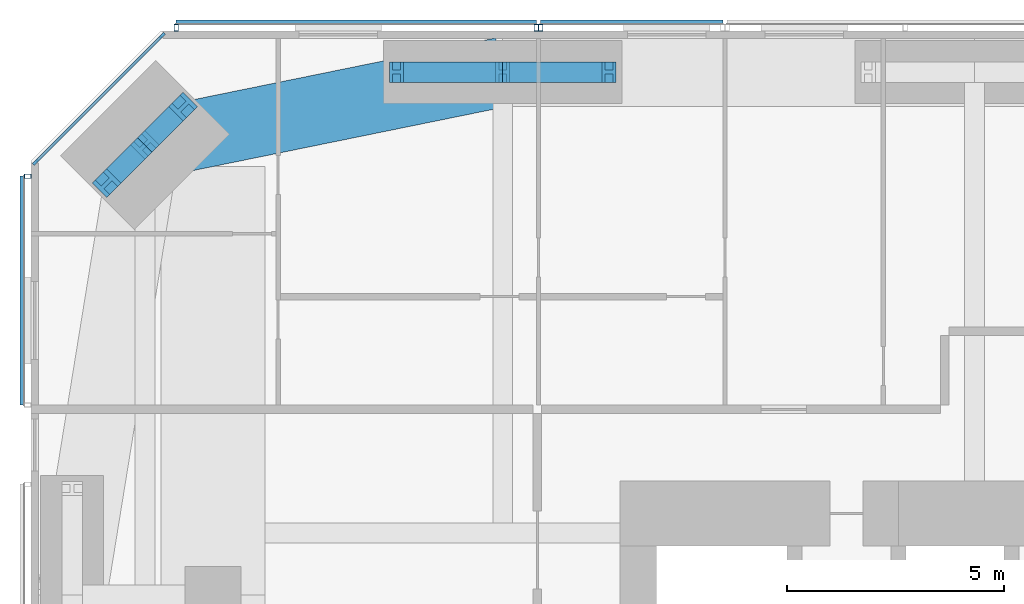
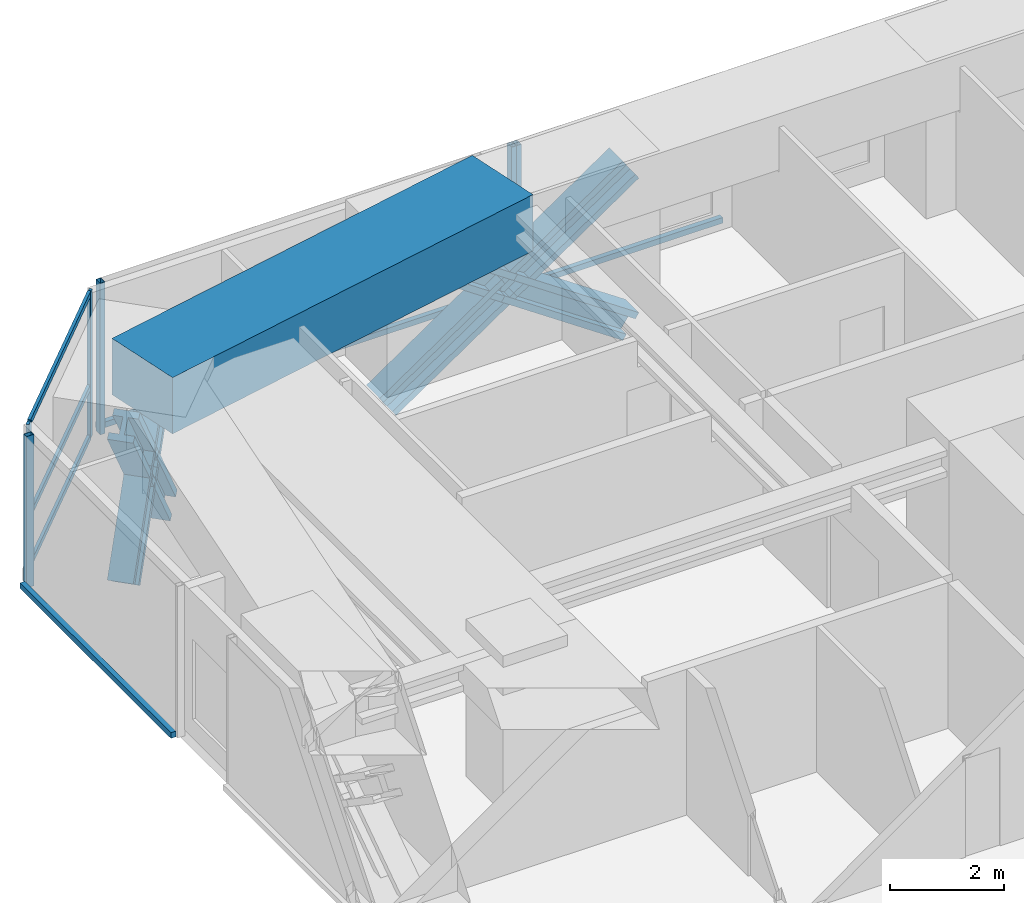
# One storey, part 11 of 23: 20 members, 1 beam, 4 elements without a shape of their own.
"""IFC4 building model written with IfcOpenShell, lengths in metres."""

from ifc_helpers import new_model, si_unit, direction, frame, origin, origin_2d, place, context, subcontext, project, spatial, rectangle, hollow_rectangle, i_section, extrude, material, material_profile, profile_set, type_object, element, aggregate, save


model = new_model("IFC4")

# Units and contexts
model_context = context("Model", 3, precision=1e-05, world=origin(), true_north=direction((0.0, 1.0)))
body_context = subcontext(model_context, "Body", "Model", "MODEL_VIEW")
ifc_project = project(units=[si_unit("LENGTHUNIT", "METRE"), si_unit("AREAUNIT", "SQUARE_METRE"), si_unit("VOLUMEUNIT", "CUBIC_METRE"), si_unit("PLANEANGLEUNIT", "RADIAN"), si_unit("MASSUNIT", "GRAM", prefix="KILO")], contexts=[model_context])

# Site, building, storey
site_placement = place(None, origin())
site = spatial("IfcSite", under=ifc_project, at=site_placement, CompositionType="ELEMENT")
building_placement = place(site_placement, origin())
building = spatial("IfcBuilding", under=site, at=building_placement, Name="Jalousie Tower", CompositionType="ELEMENT")
storey_placement = place(building_placement, frame((0.0, 0.0, 108.199951171875)))
storey = spatial("IfcBuildingStorey", under=building, at=storey_placement, Name="L29", CompositionType="ELEMENT", Elevation=108.199951171875)

# Curtain wall, members
ifc_material_1 = material(Name="Aluminium curtain wall", Category="aluminium")
curtain_wall_type_1 = type_object("IfcCurtainWallType", Name="CORNER WINDOW WALL", PredefinedType="USERDEFINED", material=ifc_material_1)
curtain_wall_1_placement = place(storey_placement, origin())
curtain_wall_1 = element("IfcCurtainWall", 1, at=curtain_wall_1_placement, inside=storey, type_object=curtain_wall_type_1, Name="Corner Window Wall L29 6", ObjectType="CORNER WINDOW WALL", PredefinedType="USERDEFINED")
ifc_material_2 = material(Name="Aluminium mullion", Category="aluminium")
ifc_material_profile_1 = material_profile(ifc_material_2, rectangle(XDim=0.06005859375, YDim=0.14990234375, at=origin_2d()), Name="MULLION 60x150")
ifc_profile_set_1 = profile_set([ifc_material_profile_1], Name="Aluminium mullion")
member_type_1 = type_object("IfcMemberType", Name="CORNER WINDOW WALL MULLION", PredefinedType="MULLION", material=ifc_profile_set_1)
member_1_placement = place(storey_placement, frame((9.030029296875, 37.891357421875, 0.0), z_axis=(0.0, 0.0, 1.0), x_axis=(0.707106781187, -0.707106781187, 0.0)))
member_1 = element("IfcMember", 2, at=member_1_placement, type_object=member_type_1, Name="CW-C mullion 1", PredefinedType="MULLION", context=body_context, shape_type="SweptSolid", body=[
    extrude(rectangle(XDim=0.06005859375, YDim=0.14990234375, at=origin_2d()), origin(), (0.0, 0.0, 1.0), 3.110107421875),
])
member_2_placement = place(storey_placement, frame((6.108642578125, 34.969970703125, 0.0), z_axis=(0.0, 0.0, 1.0), x_axis=(0.707106781187, -0.707106781187, 0.0)))
member_2 = element("IfcMember", 3, at=member_2_placement, type_object=member_type_1, Name="CW-C mullion 2", PredefinedType="MULLION", context=body_context, shape_type="SweptSolid", body=[
    extrude(rectangle(XDim=0.06005859375, YDim=0.14990234375, at=origin_2d()), origin(), (0.0, 0.0, 1.0), 3.110107421875),
])
ifc_material_3 = material(Name="Aluminium transom", Category="aluminium")
ifc_material_profile_2 = material_profile(ifc_material_3, rectangle(XDim=0.06005859375, YDim=0.1201171875, at=origin_2d()), Name="TRANSOM 60x120")
ifc_profile_set_2 = profile_set([ifc_material_profile_2], Name="Aluminium transom")
member_type_2 = type_object("IfcMemberType", Name="CORNER WINDOW WALL TRANSOM", PredefinedType="USERDEFINED", material=ifc_profile_set_2)
member_3_placement = place(storey_placement, frame((9.0087890625, 37.8701171875, 0.030029296875), z_axis=(-0.707106781187, -0.707106781187, 0.0), x_axis=(0.707106781187, -0.707106781187, 0.0)))
member_3 = element("IfcMember", 4, at=member_3_placement, type_object=member_type_2, Name="CW-C transom 1.1", ObjectType="TRANSOM", PredefinedType="USERDEFINED", context=body_context, shape_type="SweptSolid", body=[
    extrude(rectangle(XDim=0.06005859375, YDim=0.1201171875, at=origin_2d()), origin(), (0.0, 0.0, 1.0), 4.0712890625),
])
member_4_placement = place(storey_placement, frame((9.0087890625, 37.8701171875, 1.10009765625), z_axis=(-0.707106781187, -0.707106781187, 0.0), x_axis=(0.707106781187, -0.707106781187, 0.0)))
member_4 = element("IfcMember", 5, at=member_4_placement, type_object=member_type_2, Name="CW-C transom 1.2", ObjectType="TRANSOM", PredefinedType="USERDEFINED", context=body_context, shape_type="SweptSolid", body=[
    extrude(rectangle(XDim=0.06005859375, YDim=0.1201171875, at=origin_2d()), origin(), (0.0, 0.0, 1.0), 4.0712890625),
])
member_5_placement = place(storey_placement, frame((9.0087890625, 37.8701171875, 3.080078125), z_axis=(-0.707106781187, -0.707106781187, 0.0), x_axis=(0.707106781187, -0.707106781187, 0.0)))
member_5 = element("IfcMember", 6, at=member_5_placement, type_object=member_type_2, Name="CW-C transom 1.3", ObjectType="TRANSOM", PredefinedType="USERDEFINED", context=body_context, shape_type="SweptSolid", body=[
    extrude(rectangle(XDim=0.06005859375, YDim=0.1201171875, at=origin_2d()), origin(), (0.0, 0.0, 1.0), 4.0712890625),
])
aggregate(curtain_wall_1, [member_1, member_2, member_3, member_4, member_5])

# Members
ifc_material_4 = material(Name="Steel ASTM A992 Grade 50", Category="steel")
ifc_material_profile_3 = material_profile(ifc_material_4, i_section(OverallWidth=0.472412109375, OverallDepth=0.5791015625, WebThickness=0.094970703125, FlangeThickness=0.1298828125, at=origin_2d()), Name="W14X808")
ifc_profile_set_3 = profile_set([ifc_material_profile_3], Name="Steel ASTM A992 Grade 50")
member_type_3 = type_object("IfcMemberType", Name="PERIMETER BRACE W14X808", PredefinedType="BRACE", material=ifc_profile_set_3)
for number, where, z_axis, x_axis, name in (
    (7, (14.425048828125, 37.050048828125, -0.599853515625), (0.825539243753, 0.0, 0.564344714713), (0.0, 1.0, 0.0), "Perimeter brace 11 L29 part 1"),
    (8, (16.875, 37.050048828125, 1.074951171875), (0.825500916831, 0.0, 0.564400776321), (0.0, 1.0, 0.0), "Perimeter brace 11 L29 part 2"),
    (9, (19.324951171875, 37.050048828125, -0.599853515625), (-0.825539243753, 0.0, 0.564344714713), (0.0, -1.0, 0.0), "Perimeter brace 11 L29 part 3"),
    (10, (16.875, 37.050048828125, 1.074951171875), (-0.825500916831, 0.0, 0.564400776321), (0.0, -1.0, 0.0), "Perimeter brace 11 L29 part 4"),
):
    element("IfcMember", number, at=place(storey_placement, frame(where, z_axis=z_axis, x_axis=x_axis)), inside=storey, type_object=member_type_3, Name=name, PredefinedType="BRACE", context=body_context, shape_type="SweptSolid", body=[
        extrude(i_section(OverallWidth=0.472412109375, OverallDepth=0.5791015625, WebThickness=0.094970703125, FlangeThickness=0.1298828125, at=origin_2d()), origin(), (0.0, 0.0, 1.0), 2.9677734375),
    ])
member_6_placement = place(storey_placement, frame((9.515380859375, 36.25244140625, -0.599853515625), z_axis=(-0.423008127391, -0.422891306588, 0.801390708065), x_axis=(0.70700912125, -0.707204427637, 0.0)))
element("IfcMember", 11, at=member_6_placement, inside=storey, type_object=member_type_3, Name="Perimeter brace 12 L29 part 1", PredefinedType="BRACE", context=body_context, shape_type="SweptSolid", body=[
    extrude(i_section(OverallWidth=0.472412109375, OverallDepth=0.5791015625, WebThickness=0.094970703125, FlangeThickness=0.1298828125, at=origin_2d()), origin(), (0.0, 0.0, 1.0), 2.08984375),
])
member_7_placement = place(storey_placement, frame((8.63134765625, 35.36865234375, 1.074951171875), z_axis=(-0.422851718556, -0.422968528423, 0.801432497518), x_axis=(0.707204427637, -0.70700912125, 0.0)))
element("IfcMember", 12, at=member_7_placement, inside=storey, type_object=member_type_3, Name="Perimeter brace 12 L29 part 2", PredefinedType="BRACE", context=body_context, shape_type="SweptSolid", body=[
    extrude(i_section(OverallWidth=0.472412109375, OverallDepth=0.5791015625, WebThickness=0.094970703125, FlangeThickness=0.1298828125, at=origin_2d()), origin(), (0.0, 0.0, 1.0), 2.090087890625),
])
member_8_placement = place(storey_placement, frame((7.74755859375, 34.484619140625, -0.599853515625), z_axis=(0.422891306588, 0.423008127391, 0.801390708065), x_axis=(-0.707204427637, 0.70700912125, 0.0)))
element("IfcMember", 13, at=member_8_placement, inside=storey, type_object=member_type_3, Name="Perimeter brace 12 L29 part 3", PredefinedType="BRACE", context=body_context, shape_type="SweptSolid", body=[
    extrude(i_section(OverallWidth=0.472412109375, OverallDepth=0.5791015625, WebThickness=0.094970703125, FlangeThickness=0.1298828125, at=origin_2d()), origin(), (0.0, 0.0, 1.0), 2.08984375),
])
member_9_placement = place(storey_placement, frame((8.63134765625, 35.36865234375, 1.074951171875), z_axis=(0.422968528423, 0.422851718556, 0.801432497518), x_axis=(-0.70700912125, 0.707204427637, 0.0)))
element("IfcMember", 14, at=member_9_placement, inside=storey, type_object=member_type_3, Name="Perimeter brace 12 L29 part 4", PredefinedType="BRACE", context=body_context, shape_type="SweptSolid", body=[
    extrude(i_section(OverallWidth=0.472412109375, OverallDepth=0.5791015625, WebThickness=0.094970703125, FlangeThickness=0.1298828125, at=origin_2d()), origin(), (0.0, 0.0, 1.0), 2.090087890625),
])

# Beam
ifc_material_5 = material(Name="Concrete f'c 40 MPa", Category="concrete")
ifc_material_profile_4 = material_profile(ifc_material_5, rectangle(XDim=1.60009765625, YDim=1.199951171875, at=origin_2d()), Name="RC 1600x1200")
ifc_profile_set_4 = profile_set([ifc_material_profile_4], Name="Concrete f'c 40 MPa")
beam_type = type_object("IfcBeamType", Name="RC BEAM 1600x1200", PredefinedType="BEAM", material=ifc_profile_set_4)
beam_placement = place(storey_placement, frame((16.875, 37.050048828125, 2.75), z_axis=(-0.97982690954, -0.199848010602, 0.0), x_axis=(0.199848010602, -0.97982690954, 0.0)))
element("IfcBeam", 15, at=beam_placement, inside=storey, type_object=beam_type, Name="Edge band beam 11-12 under L30", PredefinedType="BEAM", context=body_context, shape_type="SweptSolid", body=[
    extrude(rectangle(XDim=1.60009765625, YDim=1.199951171875, at=origin_2d()), origin(), (0.0, 0.0, 1.0), 8.413330078125),
])

# Curtain wall, member
ifc_material_6 = material(Name="Perforated aluminium sheet", Category="aluminium")
curtain_wall_type_2 = type_object("IfcCurtainWallType", Name="SOLAR SCREEN SS-1", PredefinedType="USERDEFINED", material=ifc_material_6)
curtain_wall_2_placement = place(storey_placement, origin())
curtain_wall_2 = element("IfcCurtainWall", 16, at=curtain_wall_2_placement, inside=storey, type_object=curtain_wall_type_2, Name="Solar screen L29", ObjectType="SOLAR SCREEN SS-1", PredefinedType="USERDEFINED")
ifc_material_7 = material(Name="Steel ASTM A500 Grade C", Category="steel")
ifc_material_profile_5 = material_profile(ifc_material_7, hollow_rectangle(XDim=0.1015625, YDim=0.15234375, WallThickness=0.00634765625, at=origin_2d()), Name="HSS6X4X1/4")
ifc_profile_set_5 = profile_set([ifc_material_profile_5], Name="Steel ASTM A500 Grade C")
member_type_4 = type_object("IfcMemberType", Name="SOLAR SCREEN SS-1 MULLION", PredefinedType="MULLION", material=ifc_profile_set_5)
member_10_placement = place(storey_placement, frame((17.75, 38.0712890625, -0.119873046875), z_axis=(0.0, 0.0, 1.0), x_axis=(-1.0, 0.0, 0.0)))
member_10 = element("IfcMember", 17, at=member_10_placement, type_object=member_type_4, Name="SS1 post 2", PredefinedType="MULLION", context=body_context, shape_type="SweptSolid", body=[
    extrude(hollow_rectangle(XDim=0.1015625, YDim=0.15234375, WallThickness=0.00634765625, at=origin_2d()), origin(), (0.0, 0.0, 1.0), 3.22998046875),
])

# Curtain wall, members
curtain_wall_3_placement = place(storey_placement, origin())
curtain_wall_3 = element("IfcCurtainWall", 18, at=curtain_wall_3_placement, inside=storey, type_object=curtain_wall_type_2, Name="Solar screen L29", ObjectType="SOLAR SCREEN SS-1", PredefinedType="USERDEFINED")
member_11_placement = place(storey_placement, frame((17.64990234375, 38.0712890625, -0.119873046875), z_axis=(0.0, 0.0, 1.0), x_axis=(-1.0, 0.0, 0.0)))
member_11 = element("IfcMember", 19, at=member_11_placement, type_object=member_type_4, Name="SS1 post 1", PredefinedType="MULLION", context=body_context, shape_type="SweptSolid", body=[
    extrude(hollow_rectangle(XDim=0.1015625, YDim=0.15234375, WallThickness=0.00634765625, at=origin_2d()), origin(), (0.0, 0.0, 1.0), 3.22998046875),
])
member_12_placement = place(storey_placement, frame((9.351318359375, 38.0712890625, -0.119873046875), z_axis=(0.0, 0.0, 1.0), x_axis=(-1.0, 0.0, 0.0)))
member_12 = element("IfcMember", 20, at=member_12_placement, type_object=member_type_4, Name="SS1 post 2", PredefinedType="MULLION", context=body_context, shape_type="SweptSolid", body=[
    extrude(hollow_rectangle(XDim=0.1015625, YDim=0.15234375, WallThickness=0.00634765625, at=origin_2d()), origin(), (0.0, 0.0, 1.0), 3.22998046875),
])

# Curtain wall, member
curtain_wall_4_placement = place(storey_placement, origin())
curtain_wall_4 = element("IfcCurtainWall", 21, at=curtain_wall_4_placement, inside=storey, type_object=curtain_wall_type_2, Name="Solar screen L29", ObjectType="SOLAR SCREEN SS-1", PredefinedType="USERDEFINED")
member_13_placement = place(storey_placement, frame((5.9287109375, 34.648681640625, -0.119873046875), z_axis=(0.0, 0.0, 1.0), x_axis=(0.0, -1.0, 0.0)))
member_13 = element("IfcMember", 22, at=member_13_placement, type_object=member_type_4, Name="SS1 post 1", PredefinedType="MULLION", context=body_context, shape_type="SweptSolid", body=[
    extrude(hollow_rectangle(XDim=0.1015625, YDim=0.15234375, WallThickness=0.00634765625, at=origin_2d()), origin(), (0.0, 0.0, 1.0), 3.22998046875),
])

# Member
ifc_material_8 = material(Name="Extruded aluminium screen rail", Category="aluminium")
ifc_material_profile_6 = material_profile(ifc_material_8, rectangle(XDim=0.1015625, YDim=0.1201171875, at=origin_2d()), Name="RAIL 102x120")
ifc_profile_set_6 = profile_set([ifc_material_profile_6], Name="Extruded aluminium screen rail")
member_type_5 = type_object("IfcMemberType", Name="SOLAR SCREEN SS-1 TRANSOM", PredefinedType="USERDEFINED", material=ifc_profile_set_6)
member_14_placement = place(storey_placement, frame((21.949951171875, 38.1982421875, -0.06005859375), z_axis=(-1.0, 0.0, 0.0), x_axis=(0.0, -1.0, 0.0)))
member_14 = element("IfcMember", 23, at=member_14_placement, type_object=member_type_5, Name="SS1 rail", ObjectType="TRANSOM", PredefinedType="USERDEFINED", context=body_context, shape_type="SweptSolid", body=[
    extrude(rectangle(XDim=0.1015625, YDim=0.1201171875, at=origin_2d()), origin(), (0.0, 0.0, 1.0), 4.199951171875),
])

aggregate(curtain_wall_2, [member_10, member_14])

member_15_placement = place(storey_placement, frame((17.64990234375, 38.1982421875, -0.06005859375), z_axis=(-1.0, 0.0, 0.0), x_axis=(0.0, -1.0, 0.0)))
member_15 = element("IfcMember", 24, at=member_15_placement, type_object=member_type_5, Name="SS1 rail", ObjectType="TRANSOM", PredefinedType="USERDEFINED", context=body_context, shape_type="SweptSolid", body=[
    extrude(rectangle(XDim=0.1015625, YDim=0.1201171875, at=origin_2d()), origin(), (0.0, 0.0, 1.0), 8.298583984375),
])

aggregate(curtain_wall_3, [member_11, member_12, member_15])

member_16_placement = place(storey_placement, frame((5.8017578125, 34.648681640625, -0.06005859375), z_axis=(0.0, -1.0, 0.0), x_axis=(1.0, 0.0, 0.0)))
member_16 = element("IfcMember", 25, at=member_16_placement, type_object=member_type_5, Name="SS1 rail", ObjectType="TRANSOM", PredefinedType="USERDEFINED", context=body_context, shape_type="SweptSolid", body=[
    extrude(rectangle(XDim=0.1015625, YDim=0.1201171875, at=origin_2d()), origin(), (0.0, 0.0, 1.0), 5.273681640625),
])

aggregate(curtain_wall_4, [member_13, member_16])

save(model, "model.ifc")
